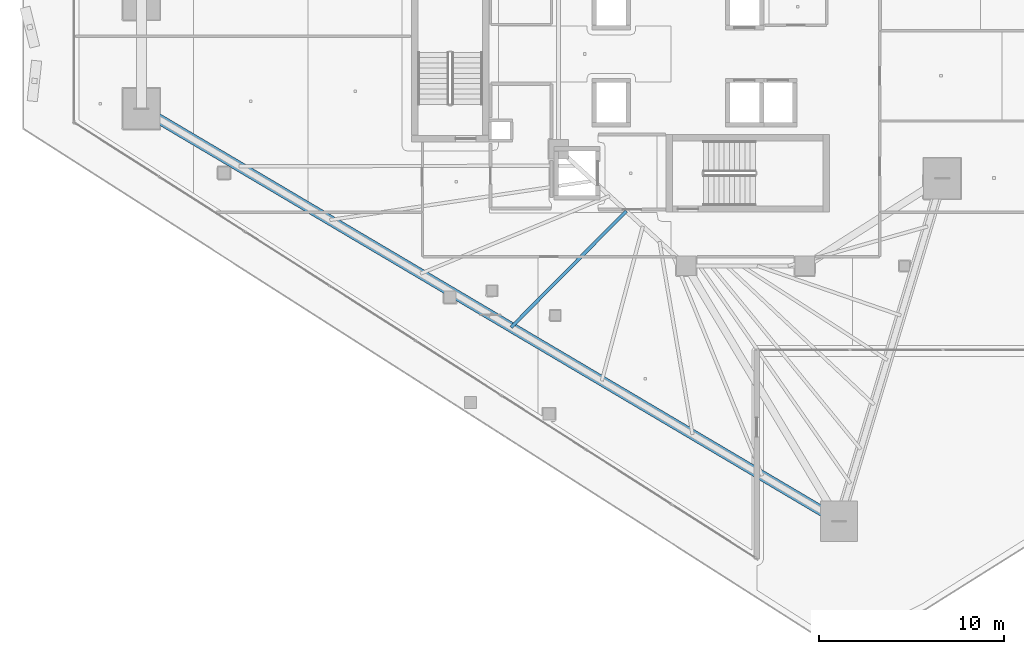
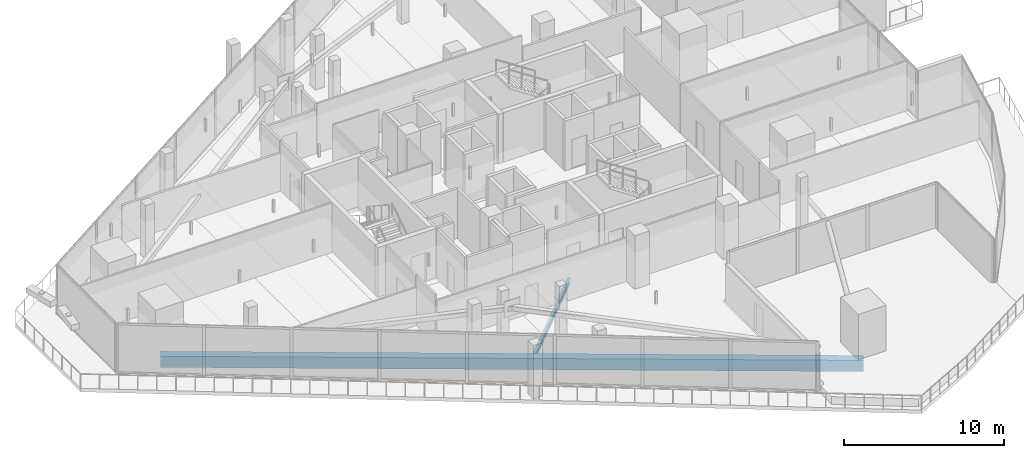
# One storey, part 3 of 43: 2 beams.
"""IFC4 building model written with IfcOpenShell, lengths in metres."""

from ifc_helpers import new_model, si_unit, direction, frame, origin, origin_2d, place, context, subcontext, project, spatial, rectangle, i_section, extrude, material, material_profile, profile_set, type_object, element, save


model = new_model("IFC4")

# Units and contexts
model_context = context("Model", 3, precision=1e-05, world=origin(), true_north=direction((0.0, 1.0)))
body_context = subcontext(model_context, "Body", "Model", "MODEL_VIEW")
ifc_project = project(units=[si_unit("LENGTHUNIT", "METRE"), si_unit("AREAUNIT", "SQUARE_METRE"), si_unit("VOLUMEUNIT", "CUBIC_METRE"), si_unit("PLANEANGLEUNIT", "RADIAN"), si_unit("MASSUNIT", "GRAM", prefix="KILO")], contexts=[model_context])

# Site, building, storey
site_placement = place(None, origin())
site = spatial("IfcSite", under=ifc_project, at=site_placement, CompositionType="ELEMENT")
building_placement = place(site_placement, origin())
building = spatial("IfcBuilding", under=site, at=building_placement, Name="Qorvath Tower", CompositionType="ELEMENT")
storey_placement = place(building_placement, frame((0.0, 0.0, 150.300048828125)))
storey = spatial("IfcBuildingStorey", under=building, at=storey_placement, Name="L34", CompositionType="ELEMENT", Elevation=150.300048828125)

# Beams
ifc_material_1 = material(Name="Steel ASTM A992 Grade 50", Category="steel")
ifc_material_profile_1 = material_profile(ifc_material_1, i_section(OverallWidth=0.177978515625, OverallDepth=0.406005859375, WebThickness=0.0078125, FlangeThickness=0.0126953125, FilletRadius=0.010986328125, at=origin_2d()), Name="W16x40")
ifc_profile_set_1 = profile_set([ifc_material_profile_1], Name="Steel ASTM A992 Grade 50")
beam_type_1 = type_object("IfcBeamType", Name="BM-FJ3", PredefinedType="JOIST", material=ifc_profile_set_1)
beam_1_placement = place(storey_placement, frame((-26.843017578125, -8.489013671875, -0.47314453125), z_axis=(-0.70395121362, -0.710248328997, 0.0), x_axis=(0.710248328997, -0.70395121362, 0.0)))
element("IfcBeam", 1, at=beam_1_placement, inside=storey, type_object=beam_type_1, Name="Composite Floor Joist SW4 L34", PredefinedType="JOIST", context=body_context, shape_type="SweptSolid", body=[
    extrude(i_section(OverallWidth=0.177978515625, OverallDepth=0.406005859375, WebThickness=0.0078125, FlangeThickness=0.0126953125, FilletRadius=0.010986328125, at=origin_2d()), origin(), (0.0, 0.0, 1.0), 8.839599609375),
])
ifc_material_2 = material(Name="Concrete C50/60", Category="concrete")
ifc_material_profile_2 = material_profile(ifc_material_2, rectangle(XDim=0.550048828125, YDim=0.85009765625, at=origin_2d()), Name="RCB 850x550")
ifc_profile_set_2 = profile_set([ifc_material_profile_2], Name="Concrete C50/60")
beam_type_2 = type_object("IfcBeamType", Name="BM-RCB2", PredefinedType="SPANDREL", material=ifc_profile_set_2)
beam_2_placement = place(storey_placement, frame((-53.04931640625, -2.95068359375, -0.695068359375), z_axis=(0.860775142889, -0.508985415689, 0.0), x_axis=(0.508985415689, 0.860775142889, 0.0)))
element("IfcBeam", 2, at=beam_2_placement, inside=storey, type_object=beam_type_2, Name="Perimeter Loggia Frame Beam MC2-MC3 L34", PredefinedType="SPANDREL", context=body_context, shape_type="SweptSolid", body=[
    extrude(rectangle(XDim=0.550048828125, YDim=0.85009765625, at=origin_2d()), origin(), (0.0, 0.0, 1.0), 43.8037109375),
])

save(model, "model.ifc")
